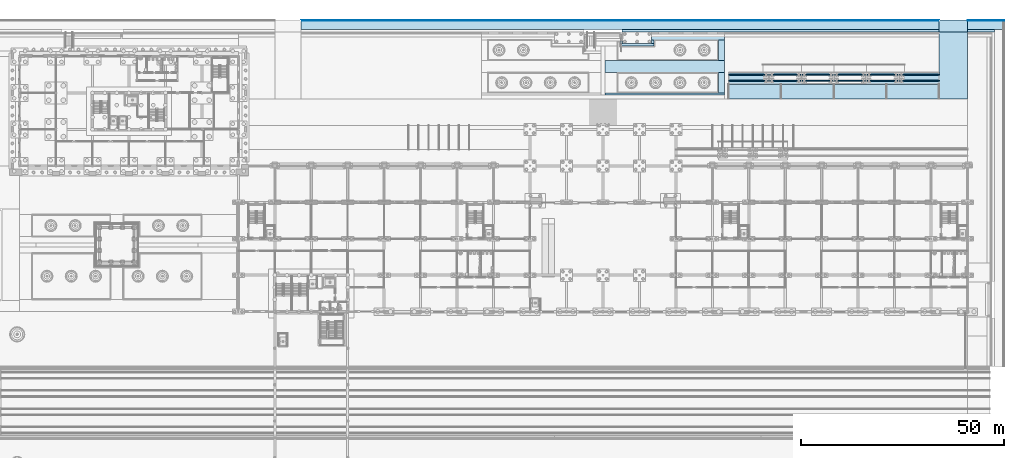
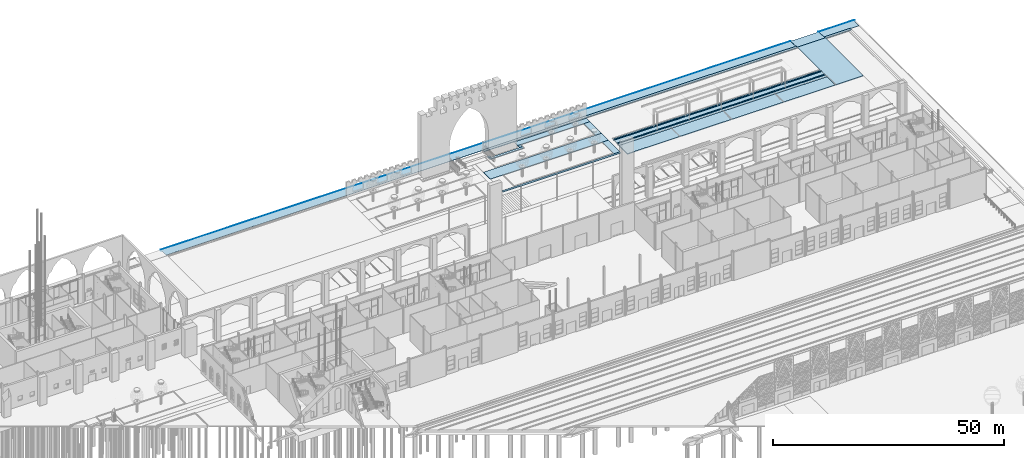
# One storey, part 85 of 250: 32 slabs.
"""IFC4 building model written with IfcOpenShell, lengths in metres."""

from ifc_helpers import new_model, si_unit, direction, frame, origin, place, context, subcontext, project, spatial, polyline, outline, extrude, material, layer, layer_set, type_object, element, save


model = new_model("IFC4")

# Units and contexts
model_context = context("Model", 3, precision=1e-05, world=origin(), true_north=direction((0.0, 1.0)))
body_context = subcontext(model_context, "Body", "Model", "MODEL_VIEW")
ifc_project = project(units=[si_unit("LENGTHUNIT", "METRE"), si_unit("AREAUNIT", "SQUARE_METRE"), si_unit("VOLUMEUNIT", "CUBIC_METRE"), si_unit("PLANEANGLEUNIT", "RADIAN"), si_unit("MASSUNIT", "GRAM", prefix="KILO")], contexts=[model_context])

# Site, building, storey
site_placement = place(None, origin())
site = spatial("IfcSite", under=ifc_project, at=site_placement, CompositionType="ELEMENT")
building_placement = place(site_placement, origin())
building = spatial("IfcBuilding", under=site, at=building_placement, Name="Baradari Gate Terminus", CompositionType="ELEMENT")
storey_placement = place(building_placement, origin())
storey = spatial("IfcBuildingStorey", under=building, at=storey_placement, Name="L00", CompositionType="ELEMENT", Elevation=0.0)

# Slabs
ifc_material_1 = material(Name="Concrete C32/40", Category="concrete")
ifc_layer_1 = layer(ifc_material_1, 0.12)
ifc_material_2 = material(Name="Asphalt")
ifc_layer_2 = layer(ifc_material_2, 0.08)
ifc_layer_set_1 = layer_set([ifc_layer_1, ifc_layer_2], Name="Concrete C32/40")
slab_type_1 = type_object("IfcSlabType", Name="Asphalt carriageway slab SL14 200", PredefinedType="BASESLAB", material=ifc_layer_set_1)
slab_1_placement = place(storey_placement, frame((0.0, 0.0, -0.199951171875)))
element("IfcSlab", 1, at=slab_1_placement, inside=storey, type_object=slab_type_1, Name="Forecourt exit drive", PredefinedType="BASESLAB", context=body_context, shape_type="SweptSolid", body=[
    extrude(outline(polyline([(243.0, 133.5), (243.0, 150.0), (236.0, 150.0), (236.0, 133.5), (243.0, 133.5)])), origin(), (0.0, 0.0, 1.0), 0.199951171875),
])
slab_2_placement = place(storey_placement, frame((0.0, 0.0, -0.199951171875)))
element("IfcSlab", 2, at=slab_2_placement, inside=storey, type_object=slab_type_1, Name="Bus bays", PredefinedType="BASESLAB", context=body_context, shape_type="SweptSolid", body=[
    extrude(outline(polyline([(236.0, 133.5), (236.0, 137.10009765625), (184.0, 137.10009765625), (184.0, 133.5), (236.0, 133.5)])), origin(), (0.0, 0.0, 1.0), 0.199951171875),
])
ifc_layer_3 = layer(ifc_material_1, 0.11)
ifc_material_3 = material(Name="Concrete paving flags", Category="concrete")
ifc_layer_4 = layer(ifc_material_3, 0.04)
ifc_layer_set_2 = layer_set([ifc_layer_3, ifc_layer_4], Name="Concrete C32/40")
slab_type_2 = type_object("IfcSlabType", Name="Concrete paving slab SL12 150", PredefinedType="BASESLAB", material=ifc_layer_set_2)
slab_3_placement = place(storey_placement, frame((0.0, 0.0, -0.14990234375)))
element("IfcSlab", 3, at=slab_3_placement, inside=storey, type_object=slab_type_2, Name="Bus boarding island 1", PredefinedType="BASESLAB", context=body_context, shape_type="SweptSolid", body=[
    extrude(outline(polyline([(236.0, 137.10009765625), (236.0, 137.873046875), (184.0, 137.873046875), (184.0, 137.10009765625), (236.0, 137.10009765625)])), origin(), (0.0, 0.0, 1.0), 0.14990234375),
])
slab_4_placement = place(storey_placement, frame((0.0, 0.0, -0.14990234375)))
element("IfcSlab", 4, at=slab_4_placement, inside=storey, type_object=slab_type_2, Name="Bus boarding island 2", PredefinedType="BASESLAB", context=body_context, shape_type="SweptSolid", body=[
    extrude(outline(polyline([(236.0, 137.873046875), (236.0, 138.126953125), (226.126953125, 138.126953125), (226.126953125, 137.873046875), (236.0, 137.873046875)])), origin(), (0.0, 0.0, 1.0), 0.14990234375),
])
slab_5_placement = place(storey_placement, frame((0.0, 0.0, -0.14990234375)))
element("IfcSlab", 5, at=slab_5_placement, inside=storey, type_object=slab_type_2, Name="Bus boarding island 3", PredefinedType="BASESLAB", context=body_context, shape_type="SweptSolid", body=[
    extrude(outline(polyline([(193.873046875, 137.873046875), (193.873046875, 138.126953125), (184.0, 138.126953125), (184.0, 137.873046875), (193.873046875, 137.873046875)])), origin(), (0.0, 0.0, 1.0), 0.14990234375),
])
slab_6_placement = place(storey_placement, frame((0.0, 0.0, -0.14990234375)))
element("IfcSlab", 6, at=slab_6_placement, inside=storey, type_object=slab_type_2, Name="Bus boarding island 4", PredefinedType="BASESLAB", context=body_context, shape_type="SweptSolid", body=[
    extrude(outline(polyline([(217.873046875, 137.873046875), (217.873046875, 138.126953125), (210.126953125, 138.126953125), (210.126953125, 137.873046875), (217.873046875, 137.873046875)])), origin(), (0.0, 0.0, 1.0), 0.14990234375),
])
slab_7_placement = place(storey_placement, frame((0.0, 0.0, -0.14990234375)))
element("IfcSlab", 7, at=slab_7_placement, inside=storey, type_object=slab_type_2, Name="Bus boarding island 5", PredefinedType="BASESLAB", context=body_context, shape_type="SweptSolid", body=[
    extrude(outline(polyline([(225.873046875, 137.873046875), (225.873046875, 138.126953125), (218.126953125, 138.126953125), (218.126953125, 137.873046875), (225.873046875, 137.873046875)])), origin(), (0.0, 0.0, 1.0), 0.14990234375),
])
slab_8_placement = place(storey_placement, frame((0.0, 0.0, -0.14990234375)))
element("IfcSlab", 8, at=slab_8_placement, inside=storey, type_object=slab_type_2, Name="Bus boarding island 6", PredefinedType="BASESLAB", context=body_context, shape_type="SweptSolid", body=[
    extrude(outline(polyline([(209.873046875, 137.873046875), (209.873046875, 138.126953125), (202.126953125, 138.126953125), (202.126953125, 137.873046875), (209.873046875, 137.873046875)])), origin(), (0.0, 0.0, 1.0), 0.14990234375),
])
slab_9_placement = place(storey_placement, frame((0.0, 0.0, -0.14990234375)))
element("IfcSlab", 9, at=slab_9_placement, inside=storey, type_object=slab_type_2, Name="Bus boarding island 7", PredefinedType="BASESLAB", context=body_context, shape_type="SweptSolid", body=[
    extrude(outline(polyline([(201.873046875, 137.873046875), (201.873046875, 138.126953125), (194.126953125, 138.126953125), (194.126953125, 137.873046875), (201.873046875, 137.873046875)])), origin(), (0.0, 0.0, 1.0), 0.14990234375),
])
slab_10_placement = place(storey_placement, frame((0.0, 0.0, -0.14990234375)))
element("IfcSlab", 10, at=slab_10_placement, inside=storey, type_object=slab_type_2, Name="Bus boarding island 8", PredefinedType="BASESLAB", context=body_context, shape_type="SweptSolid", body=[
    extrude(outline(polyline([(236.0, 138.126953125), (236.0, 139.373046875), (184.0, 139.373046875), (184.0, 138.126953125), (236.0, 138.126953125)])), origin(), (0.0, 0.0, 1.0), 0.14990234375),
])
slab_11_placement = place(storey_placement, frame((0.0, 0.0, -0.14990234375)))
element("IfcSlab", 11, at=slab_11_placement, inside=storey, type_object=slab_type_2, Name="Bus boarding island 9", PredefinedType="BASESLAB", context=body_context, shape_type="SweptSolid", body=[
    extrude(outline(polyline([(236.0, 139.373046875), (236.0, 139.626953125), (226.126953125, 139.626953125), (226.126953125, 139.373046875), (236.0, 139.373046875)])), origin(), (0.0, 0.0, 1.0), 0.14990234375),
])
slab_12_placement = place(storey_placement, frame((0.0, 0.0, -0.14990234375)))
element("IfcSlab", 12, at=slab_12_placement, inside=storey, type_object=slab_type_2, Name="Bus boarding island 10", PredefinedType="BASESLAB", context=body_context, shape_type="SweptSolid", body=[
    extrude(outline(polyline([(193.873046875, 139.373046875), (193.873046875, 139.626953125), (184.0, 139.626953125), (184.0, 139.373046875), (193.873046875, 139.373046875)])), origin(), (0.0, 0.0, 1.0), 0.14990234375),
])
slab_13_placement = place(storey_placement, frame((0.0, 0.0, -0.14990234375)))
element("IfcSlab", 13, at=slab_13_placement, inside=storey, type_object=slab_type_2, Name="Bus boarding island 11", PredefinedType="BASESLAB", context=body_context, shape_type="SweptSolid", body=[
    extrude(outline(polyline([(217.873046875, 139.373046875), (217.873046875, 139.626953125), (210.126953125, 139.626953125), (210.126953125, 139.373046875), (217.873046875, 139.373046875)])), origin(), (0.0, 0.0, 1.0), 0.14990234375),
])
slab_14_placement = place(storey_placement, frame((0.0, 0.0, -0.14990234375)))
element("IfcSlab", 14, at=slab_14_placement, inside=storey, type_object=slab_type_2, Name="Bus boarding island 12", PredefinedType="BASESLAB", context=body_context, shape_type="SweptSolid", body=[
    extrude(outline(polyline([(225.873046875, 139.373046875), (225.873046875, 139.626953125), (218.126953125, 139.626953125), (218.126953125, 139.373046875), (225.873046875, 139.373046875)])), origin(), (0.0, 0.0, 1.0), 0.14990234375),
])
slab_15_placement = place(storey_placement, frame((0.0, 0.0, -0.14990234375)))
element("IfcSlab", 15, at=slab_15_placement, inside=storey, type_object=slab_type_2, Name="Bus boarding island 13", PredefinedType="BASESLAB", context=body_context, shape_type="SweptSolid", body=[
    extrude(outline(polyline([(209.873046875, 139.373046875), (209.873046875, 139.626953125), (202.126953125, 139.626953125), (202.126953125, 139.373046875), (209.873046875, 139.373046875)])), origin(), (0.0, 0.0, 1.0), 0.14990234375),
])
slab_16_placement = place(storey_placement, frame((0.0, 0.0, -0.14990234375)))
element("IfcSlab", 16, at=slab_16_placement, inside=storey, type_object=slab_type_2, Name="Bus boarding island 14", PredefinedType="BASESLAB", context=body_context, shape_type="SweptSolid", body=[
    extrude(outline(polyline([(201.873046875, 139.373046875), (201.873046875, 139.626953125), (194.126953125, 139.626953125), (194.126953125, 139.373046875), (201.873046875, 139.373046875)])), origin(), (0.0, 0.0, 1.0), 0.14990234375),
])
slab_17_placement = place(storey_placement, frame((0.0, 0.0, -0.14990234375)))
element("IfcSlab", 17, at=slab_17_placement, inside=storey, type_object=slab_type_2, Name="Bus boarding island 15", PredefinedType="BASESLAB", context=body_context, shape_type="SweptSolid", body=[
    extrude(outline(polyline([(236.0, 139.626953125), (236.0, 140.10009765625), (184.0, 140.10009765625), (184.0, 139.626953125), (236.0, 139.626953125)])), origin(), (0.0, 0.0, 1.0), 0.14990234375),
])
ifc_layer_5 = layer(ifc_material_1, 0.03)
ifc_layer_6 = layer(ifc_material_2, 0.04)
ifc_layer_set_3 = layer_set([ifc_layer_5, ifc_layer_6], Name="Concrete C32/40")
slab_type_3 = type_object("IfcSlabType", Name="Dropped-kerb vehicle crossing slab SL22 70", PredefinedType="BASESLAB", material=ifc_layer_set_3)
slab_18_placement = place(storey_placement, frame((236.0, 153.0, -0.260009765625), z_axis=(0.0, 0.086346226202, 0.996265190208), x_axis=(1.0, 0.0, 0.0)))
element("IfcSlab", 18, at=slab_18_placement, inside=storey, type_object=slab_type_3, Name="Dropped-kerb crossing Forecourt exit drive", PredefinedType="BASESLAB", context=body_context, shape_type="SweptSolid", body=[
    extrude(outline(polyline([(0.0, 0.0), (7.0, 0.0), (7.0, -3.0112464326621238), (0.0, -3.0112464326621238), (0.0, 0.0)])), origin(), (0.0, 0.0, -1.0), 0.070068359375),
])
ifc_layer_7 = layer(ifc_material_1, 0.04)
ifc_layer_8 = layer(ifc_material_3, 0.04)
ifc_layer_set_4 = layer_set([ifc_layer_7, ifc_layer_8], Name="Concrete C32/40")
slab_type_4 = type_object("IfcSlabType", Name="Footpath paving slab SL19 80", PredefinedType="BASESLAB", material=ifc_layer_set_4)
slab_19_placement = place(storey_placement, frame((0.0, 0.0, -0.340087890625)))
element("IfcSlab", 19, at=slab_19_placement, inside=storey, type_object=slab_type_4, Name="Footpath 4", PredefinedType="BASESLAB", context=body_context, shape_type="SweptSolid", body=[
    extrude(outline(polyline([(251.800048828125, 150.60009765625), (251.800048828125, 152.800048828125), (243.0, 152.800048828125), (243.0, 150.60009765625), (251.800048828125, 150.60009765625)])), origin(), (0.0, 0.0, 1.0), 0.080078125),
])
slab_20_placement = place(storey_placement, frame((0.0, 0.0, -0.340087890625)))
element("IfcSlab", 20, at=slab_20_placement, inside=storey, type_object=slab_type_4, Name="Footpath 5", PredefinedType="BASESLAB", context=body_context, shape_type="SweptSolid", body=[
    extrude(outline(polyline([(236.0, 150.60009765625), (236.0, 152.800048828125), (78.5, 152.800048828125), (78.5, 150.60009765625), (236.0, 150.60009765625)])), origin(), (0.0, 0.0, 1.0), 0.080078125),
])
ifc_layer_9 = layer(ifc_material_1, 0.04)
ifc_material_4 = material(Name="Granite kerb", Category="masonry")
ifc_layer_10 = layer(ifc_material_4, 0.04)
ifc_layer_set_5 = layer_set([ifc_layer_9, ifc_layer_10], Name="Concrete C32/40")
slab_type_5 = type_object("IfcSlabType", Name="Granite kerb course SL20 80", PredefinedType="BASESLAB", material=ifc_layer_set_5)
slab_21_placement = place(storey_placement, frame((0.0, 0.0, -0.340087890625)))
element("IfcSlab", 21, at=slab_21_placement, inside=storey, type_object=slab_type_5, Name="Kerb course 4", PredefinedType="BASESLAB", context=body_context, shape_type="SweptSolid", body=[
    extrude(outline(polyline([(252.0, 152.800048828125), (252.0, 153.0), (243.0, 153.0), (243.0, 152.800048828125), (252.0, 152.800048828125)])), origin(), (0.0, 0.0, 1.0), 0.080078125),
])
slab_22_placement = place(storey_placement, frame((0.0, 0.0, -0.340087890625)))
element("IfcSlab", 22, at=slab_22_placement, inside=storey, type_object=slab_type_5, Name="Kerb course 5", PredefinedType="BASESLAB", context=body_context, shape_type="SweptSolid", body=[
    extrude(outline(polyline([(236.0, 152.800048828125), (236.0, 153.0), (78.5, 153.0), (78.5, 152.800048828125), (236.0, 152.800048828125)])), origin(), (0.0, 0.0, 1.0), 0.080078125),
])
ifc_layer_11 = layer(ifc_material_1, 0.11)
ifc_material_5 = material(Name="Sandstone paving", Category="masonry")
ifc_layer_12 = layer(ifc_material_5, 0.04)
ifc_layer_set_6 = layer_set([ifc_layer_11, ifc_layer_12], Name="Concrete C32/40")
slab_type_6 = type_object("IfcSlabType", Name="Sandstone paving slab SL13 150", PredefinedType="BASESLAB", material=ifc_layer_set_6)
slab_23_placement = place(storey_placement, frame((0.0, 0.0, -0.14990234375)))
element("IfcSlab", 23, at=slab_23_placement, inside=storey, type_object=slab_type_6, Name="Charbagh walks 2", PredefinedType="BASESLAB", context=body_context, shape_type="SweptSolid", body=[
    extrude(outline(polyline([(183.0, 134.5), (183.0, 135.0), (153.5, 135.0), (153.5, 134.5), (183.0, 134.5)])), origin(), (0.0, 0.0, 1.0), 0.14990234375),
])
slab_24_placement = place(storey_placement, frame((0.0, 0.0, -0.14990234375)))
element("IfcSlab", 24, at=slab_24_placement, inside=storey, type_object=slab_type_6, Name="Charbagh walks 5", PredefinedType="BASESLAB", context=body_context, shape_type="SweptSolid", body=[
    extrude(outline(polyline([(183.0, 135.0), (183.0, 140.050048828125), (181.5, 140.050048828125), (181.5, 135.0), (183.0, 135.0)])), origin(), (0.0, 0.0, 1.0), 0.14990234375),
])
slab_25_placement = place(storey_placement, frame((0.0, 0.0, -0.14990234375)))
element("IfcSlab", 25, at=slab_25_placement, inside=storey, type_object=slab_type_6, Name="Charbagh walks 8", PredefinedType="BASESLAB", context=body_context, shape_type="SweptSolid", body=[
    extrude(outline(polyline([(183.0, 140.050048828125), (183.0, 143.050048828125), (153.5, 143.050048828125), (153.5, 140.050048828125), (183.0, 140.050048828125)])), origin(), (0.0, 0.0, 1.0), 0.14990234375),
])
slab_26_placement = place(storey_placement, frame((0.0, 0.0, -0.14990234375)))
element("IfcSlab", 26, at=slab_26_placement, inside=storey, type_object=slab_type_6, Name="Charbagh walks 16", PredefinedType="BASESLAB", context=body_context, shape_type="SweptSolid", body=[
    extrude(outline(polyline([(165.60009765625, 146.60009765625), (165.60009765625, 147.199951171875), (157.25, 147.199951171875), (157.25, 146.60009765625), (165.60009765625, 146.60009765625)])), origin(), (0.0, 0.0, 1.0), 0.14990234375),
])
slab_27_placement = place(storey_placement, frame((0.0, 0.0, -0.14990234375)))
element("IfcSlab", 27, at=slab_27_placement, inside=storey, type_object=slab_type_6, Name="Charbagh walks 18", PredefinedType="BASESLAB", context=body_context, shape_type="SweptSolid", body=[
    extrude(outline(polyline([(157.85009765625, 147.199951171875), (157.85009765625, 147.800048828125), (157.25, 147.800048828125), (157.25, 147.199951171875), (157.85009765625, 147.199951171875)])), origin(), (0.0, 0.0, 1.0), 0.14990234375),
])
slab_28_placement = place(storey_placement, frame((0.0, 0.0, -0.14990234375)))
element("IfcSlab", 28, at=slab_28_placement, inside=storey, type_object=slab_type_6, Name="Charbagh walks 19", PredefinedType="BASESLAB", context=body_context, shape_type="SweptSolid", body=[
    extrude(outline(polyline([(183.0, 143.050048828125), (183.0, 148.10009765625), (181.5, 148.10009765625), (181.5, 143.050048828125), (183.0, 143.050048828125)])), origin(), (0.0, 0.0, 1.0), 0.14990234375),
])
slab_29_placement = place(storey_placement, frame((0.0, 0.0, -0.14990234375)))
element("IfcSlab", 29, at=slab_29_placement, inside=storey, type_object=slab_type_6, Name="Charbagh walks 22", PredefinedType="BASESLAB", context=body_context, shape_type="SweptSolid", body=[
    extrude(outline(polyline([(165.60009765625, 147.199951171875), (165.60009765625, 148.10009765625), (165.0, 148.10009765625), (165.0, 147.199951171875), (165.60009765625, 147.199951171875)])), origin(), (0.0, 0.0, 1.0), 0.14990234375),
])
slab_30_placement = place(storey_placement, frame((0.0, 0.0, -0.14990234375)))
element("IfcSlab", 30, at=slab_30_placement, inside=storey, type_object=slab_type_6, Name="Charbagh walks 26", PredefinedType="BASESLAB", context=body_context, shape_type="SweptSolid", body=[
    extrude(outline(polyline([(183.0, 148.10009765625), (183.0, 149.60009765625), (165.0, 149.60009765625), (165.0, 148.10009765625), (183.0, 148.10009765625)])), origin(), (0.0, 0.0, 1.0), 0.14990234375),
])
ifc_material_6 = material(Name="Sandstone masonry", Category="masonry")
ifc_layer_13 = layer(ifc_material_6, 0.2099609375)
ifc_layer_set_7 = layer_set([ifc_layer_13], Name="Sandstone masonry")
slab_type_7 = type_object("IfcSlabType", Name="Sandstone plinth step PL-1 210", PredefinedType="BASESLAB", material=ifc_layer_set_7)
slab_31_placement = place(storey_placement, frame((0.0, 0.0, -0.340087890625)))
element("IfcSlab", 31, at=slab_31_placement, inside=storey, type_object=slab_type_7, Name="Plinth step 5", PredefinedType="BASESLAB", context=body_context, shape_type="SweptSolid", body=[
    extrude(outline(polyline([(249.60009765625, 150.0), (249.60009765625, 150.60009765625), (243.0, 150.60009765625), (243.0, 150.0), (249.60009765625, 150.0)])), origin(), (0.0, 0.0, 1.0), 0.210205078125),
])
slab_32_placement = place(storey_placement, frame((0.0, 0.0, -0.340087890625)))
element("IfcSlab", 32, at=slab_32_placement, inside=storey, type_object=slab_type_7, Name="Plinth step 6", PredefinedType="BASESLAB", context=body_context, shape_type="SweptSolid", body=[
    extrude(outline(polyline([(236.0, 150.0), (236.0, 150.60009765625), (157.699951171875, 150.60009765625), (157.699951171875, 150.0), (236.0, 150.0)])), origin(), (0.0, 0.0, 1.0), 0.210205078125),
])

save(model, "model.ifc")
